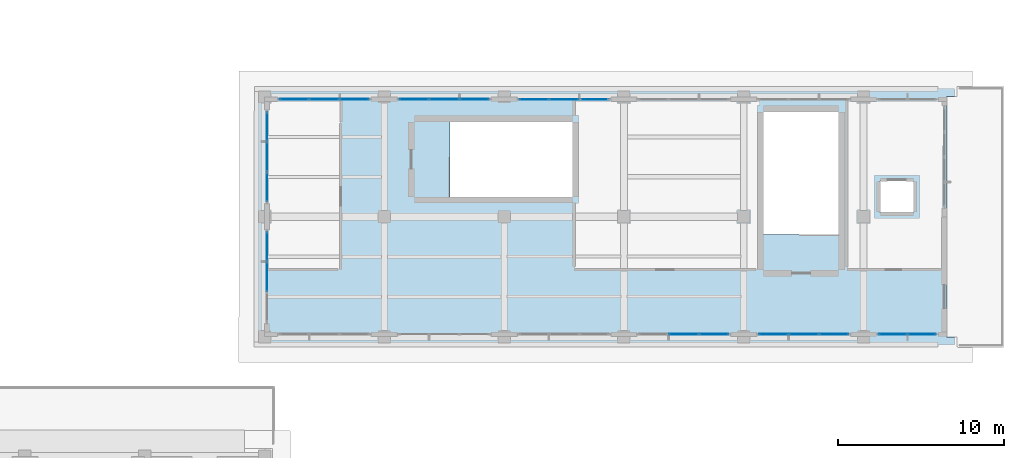
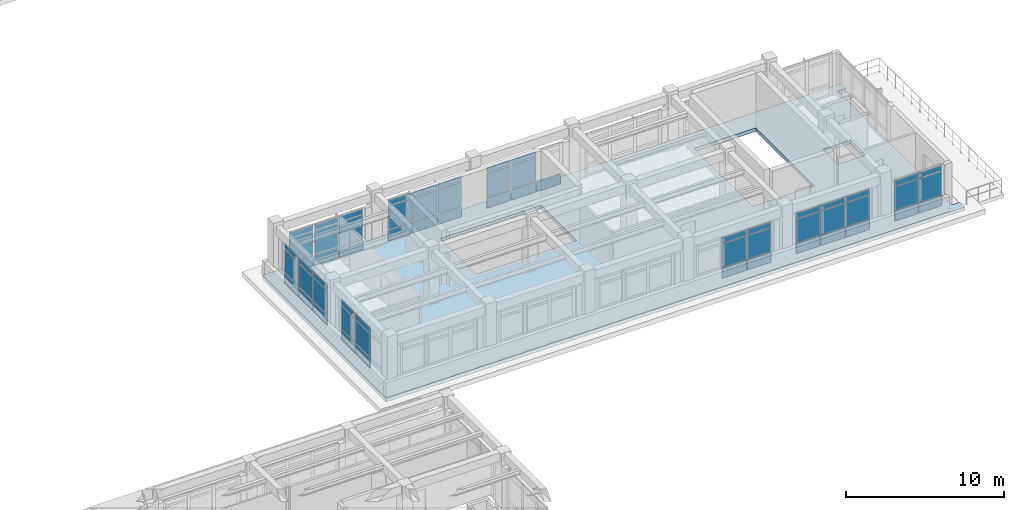
# One storey, part 38 of 64: 61 plates, 1 slab, 8 elements without a shape of their own.
"""IFC4 building model written with IfcOpenShell, lengths in metres."""

from ifc_helpers import new_model, si_unit, direction, frame, origin, origin_2d, place, context, subcontext, project, spatial, polyline, rectangle, outline, extrude, material, layer, layer_set, type_object, element, aggregate, save


model = new_model("IFC4")

# Units and contexts
model_context = context("Model", 3, precision=1e-05, world=origin(), true_north=direction((0.0, 1.0)))
body_context = subcontext(model_context, "Body", "Model", "MODEL_VIEW")
ifc_project = project(units=[si_unit("LENGTHUNIT", "METRE"), si_unit("AREAUNIT", "SQUARE_METRE"), si_unit("VOLUMEUNIT", "CUBIC_METRE"), si_unit("PLANEANGLEUNIT", "RADIAN"), si_unit("MASSUNIT", "GRAM", prefix="KILO")], contexts=[model_context])

# Site, building, storey
site_placement = place(None, origin())
site = spatial("IfcSite", under=ifc_project, at=site_placement, CompositionType="ELEMENT")
building_placement = place(site_placement, origin())
building = spatial("IfcBuilding", under=site, at=building_placement, Name="Solenvale Faculty of Natural Sciences", CompositionType="ELEMENT")
storey_placement = place(building_placement, frame((0.0, 0.0, 18.0)))
storey = spatial("IfcBuildingStorey", under=building, at=storey_placement, Name="L04", CompositionType="ELEMENT", Elevation=18.0)

# Curtain wall, plates
ifc_material_1 = material(Name="Anodised bronze aluminium", Category="aluminium")
ifc_layer_1 = layer(ifc_material_1, 0.199951171875)
ifc_layer_set_1 = layer_set([ifc_layer_1], Name="Anodised bronze aluminium")
curtain_wall_type = type_object("IfcCurtainWallType", Name="CW-COM-FIN", PredefinedType="USERDEFINED", material=ifc_layer_set_1)
curtain_wall_1_placement = place(storey_placement, origin())
curtain_wall_1 = element("IfcCurtainWall", 1, at=curtain_wall_1_placement, inside=storey, type_object=curtain_wall_type, Name="L04 Curtain Wall CW-L04-P2-E1-B4", ObjectType="UNITISED CURTAIN WALL", PredefinedType="USERDEFINED")
ifc_material_2 = material(Name="Triple low-E insulated glass", Category="glass")
ifc_layer_2 = layer(ifc_material_2, 0.035888671875)
ifc_layer_set_2 = layer_set([ifc_layer_2], Name="Triple low-E insulated glass")
plate_type_1 = type_object("IfcPlateType", Name="CWP-PNL-36", PredefinedType="CURTAIN_PANEL", material=ifc_layer_set_2)
plate_1_placement = place(storey_placement, frame((140.39990234375, 43.342529296875, 0.074951171875), z_axis=(0.0, 0.0, 1.0), x_axis=(1.0, 0.0, 0.0)))
plate_1 = element("IfcPlate", 2, at=plate_1_placement, type_object=plate_type_1, Name="CW-03 panel 2.1", PredefinedType="CURTAIN_PANEL", context=body_context, shape_type="SweptSolid", body=[
    extrude(rectangle(XDim=1.75830078125, YDim=0.035888671875, at=origin_2d()), origin(), (0.0, 0.0, 1.0), 0.78759765625),
])
plate_2_placement = place(storey_placement, frame((140.39990234375, 43.342529296875, 0.9375), z_axis=(0.0, 0.0, 1.0), x_axis=(1.0, 0.0, 0.0)))
plate_2 = element("IfcPlate", 3, at=plate_2_placement, type_object=plate_type_1, Name="CW-03 panel 2.2", PredefinedType="CURTAIN_PANEL", context=body_context, shape_type="SweptSolid", body=[
    extrude(rectangle(XDim=1.75830078125, YDim=0.035888671875, at=origin_2d()), origin(), (0.0, 0.0, 1.0), 1.784912109375),
])
plate_3_placement = place(storey_placement, frame((140.39990234375, 43.342529296875, 2.79736328125), z_axis=(0.0, 0.0, 1.0), x_axis=(1.0, 0.0, 0.0)))
plate_3 = element("IfcPlate", 4, at=plate_3_placement, type_object=plate_type_1, Name="CW-03 panel 2.3", PredefinedType="CURTAIN_PANEL", context=body_context, shape_type="SweptSolid", body=[
    extrude(rectangle(XDim=1.75830078125, YDim=0.035888671875, at=origin_2d()), origin(), (0.0, 0.0, 1.0), 0.387451171875),
])
plate_4_placement = place(storey_placement, frame((142.214599609375, 43.342529296875, 0.074951171875), z_axis=(0.0, 0.0, 1.0), x_axis=(1.0, 0.0, 0.0)))
plate_4 = element("IfcPlate", 5, at=plate_4_placement, type_object=plate_type_1, Name="CW-03 panel 3.1", PredefinedType="CURTAIN_PANEL", context=body_context, shape_type="SweptSolid", body=[
    extrude(rectangle(XDim=1.720947265625, YDim=0.035888671875, at=origin_2d()), origin(), (0.0, 0.0, 1.0), 0.78759765625),
])
plate_5_placement = place(storey_placement, frame((142.214599609375, 43.342529296875, 0.9375), z_axis=(0.0, 0.0, 1.0), x_axis=(1.0, 0.0, 0.0)))
plate_5 = element("IfcPlate", 6, at=plate_5_placement, type_object=plate_type_1, Name="CW-03 panel 3.2", PredefinedType="CURTAIN_PANEL", context=body_context, shape_type="SweptSolid", body=[
    extrude(rectangle(XDim=1.720947265625, YDim=0.035888671875, at=origin_2d()), origin(), (0.0, 0.0, 1.0), 1.784912109375),
])
plate_6_placement = place(storey_placement, frame((142.214599609375, 43.342529296875, 2.79736328125), z_axis=(0.0, 0.0, 1.0), x_axis=(1.0, 0.0, 0.0)))
plate_6 = element("IfcPlate", 7, at=plate_6_placement, type_object=plate_type_1, Name="CW-03 panel 3.3", PredefinedType="CURTAIN_PANEL", context=body_context, shape_type="SweptSolid", body=[
    extrude(rectangle(XDim=1.720947265625, YDim=0.035888671875, at=origin_2d()), origin(), (0.0, 0.0, 1.0), 0.387451171875),
])
aggregate(curtain_wall_1, [plate_1, plate_2, plate_3, plate_4, plate_5, plate_6])

curtain_wall_2_placement = place(storey_placement, origin())
curtain_wall_2 = element("IfcCurtainWall", 8, at=curtain_wall_2_placement, inside=storey, type_object=curtain_wall_type, Name="L04 Curtain Wall CW-L04-P2-E4-B1", ObjectType="UNITISED CURTAIN WALL", PredefinedType="USERDEFINED")
plate_7_placement = place(storey_placement, frame((115.342529296875, 55.814697265625, 0.074951171875), z_axis=(0.0, 0.0, 1.0), x_axis=(0.0, -1.0, 0.0)))
plate_7 = element("IfcPlate", 9, at=plate_7_placement, type_object=plate_type_1, Name="CW-03 panel 1.1", PredefinedType="CURTAIN_PANEL", context=body_context, shape_type="SweptSolid", body=[
    extrude(rectangle(XDim=1.720947265625, YDim=0.035888671875, at=origin_2d()), origin(), (0.0, 0.0, 1.0), 0.78759765625),
])
plate_8_placement = place(storey_placement, frame((115.342529296875, 55.814697265625, 0.9375), z_axis=(0.0, 0.0, 1.0), x_axis=(0.0, -1.0, 0.0)))
plate_8 = element("IfcPlate", 10, at=plate_8_placement, type_object=plate_type_1, Name="CW-03 panel 1.2", PredefinedType="CURTAIN_PANEL", context=body_context, shape_type="SweptSolid", body=[
    extrude(rectangle(XDim=1.720947265625, YDim=0.035888671875, at=origin_2d()), origin(), (0.0, 0.0, 1.0), 1.784912109375),
])
plate_9_placement = place(storey_placement, frame((115.342529296875, 55.814697265625, 2.79736328125), z_axis=(0.0, 0.0, 1.0), x_axis=(0.0, -1.0, 0.0)))
plate_9 = element("IfcPlate", 11, at=plate_9_placement, type_object=plate_type_1, Name="CW-03 panel 1.3", PredefinedType="CURTAIN_PANEL", context=body_context, shape_type="SweptSolid", body=[
    extrude(rectangle(XDim=1.720947265625, YDim=0.035888671875, at=origin_2d()), origin(), (0.0, 0.0, 1.0), 0.387451171875),
])
plate_10_placement = place(storey_placement, frame((115.342529296875, 54.0, 0.074951171875), z_axis=(0.0, 0.0, 1.0), x_axis=(0.0, -1.0, 0.0)))
plate_10 = element("IfcPlate", 12, at=plate_10_placement, type_object=plate_type_1, Name="CW-03 panel 2.1", PredefinedType="CURTAIN_PANEL", context=body_context, shape_type="SweptSolid", body=[
    extrude(rectangle(XDim=1.75830078125, YDim=0.035888671875, at=origin_2d()), origin(), (0.0, 0.0, 1.0), 0.78759765625),
])
plate_11_placement = place(storey_placement, frame((115.342529296875, 54.0, 0.9375), z_axis=(0.0, 0.0, 1.0), x_axis=(0.0, -1.0, 0.0)))
plate_11 = element("IfcPlate", 13, at=plate_11_placement, type_object=plate_type_1, Name="CW-03 panel 2.2", PredefinedType="CURTAIN_PANEL", context=body_context, shape_type="SweptSolid", body=[
    extrude(rectangle(XDim=1.75830078125, YDim=0.035888671875, at=origin_2d()), origin(), (0.0, 0.0, 1.0), 1.784912109375),
])
plate_12_placement = place(storey_placement, frame((115.342529296875, 54.0, 2.79736328125), z_axis=(0.0, 0.0, 1.0), x_axis=(0.0, -1.0, 0.0)))
plate_12 = element("IfcPlate", 14, at=plate_12_placement, type_object=plate_type_1, Name="CW-03 panel 2.3", PredefinedType="CURTAIN_PANEL", context=body_context, shape_type="SweptSolid", body=[
    extrude(rectangle(XDim=1.75830078125, YDim=0.035888671875, at=origin_2d()), origin(), (0.0, 0.0, 1.0), 0.387451171875),
])
plate_13_placement = place(storey_placement, frame((115.342529296875, 52.185302734375, 0.074951171875), z_axis=(0.0, 0.0, 1.0), x_axis=(0.0, -1.0, 0.0)))
plate_13 = element("IfcPlate", 15, at=plate_13_placement, type_object=plate_type_1, Name="CW-03 panel 3.1", PredefinedType="CURTAIN_PANEL", context=body_context, shape_type="SweptSolid", body=[
    extrude(rectangle(XDim=1.720947265625, YDim=0.035888671875, at=origin_2d()), origin(), (0.0, 0.0, 1.0), 0.78759765625),
])
plate_14_placement = place(storey_placement, frame((115.342529296875, 52.185302734375, 0.9375), z_axis=(0.0, 0.0, 1.0), x_axis=(0.0, -1.0, 0.0)))
plate_14 = element("IfcPlate", 16, at=plate_14_placement, type_object=plate_type_1, Name="CW-03 panel 3.2", PredefinedType="CURTAIN_PANEL", context=body_context, shape_type="SweptSolid", body=[
    extrude(rectangle(XDim=1.720947265625, YDim=0.035888671875, at=origin_2d()), origin(), (0.0, 0.0, 1.0), 1.784912109375),
])
plate_15_placement = place(storey_placement, frame((115.342529296875, 52.185302734375, 2.79736328125), z_axis=(0.0, 0.0, 1.0), x_axis=(0.0, -1.0, 0.0)))
plate_15 = element("IfcPlate", 17, at=plate_15_placement, type_object=plate_type_1, Name="CW-03 panel 3.3", PredefinedType="CURTAIN_PANEL", context=body_context, shape_type="SweptSolid", body=[
    extrude(rectangle(XDim=1.720947265625, YDim=0.035888671875, at=origin_2d()), origin(), (0.0, 0.0, 1.0), 0.387451171875),
])
aggregate(curtain_wall_2, [plate_7, plate_8, plate_9, plate_10, plate_11, plate_12, plate_13, plate_14, plate_15])

curtain_wall_3_placement = place(storey_placement, origin())
curtain_wall_3 = element("IfcCurtainWall", 18, at=curtain_wall_3_placement, inside=storey, type_object=curtain_wall_type, Name="L04 Curtain Wall CW-L04-P2-E1-B5", ObjectType="UNITISED CURTAIN WALL", PredefinedType="USERDEFINED")
ifc_layer_3 = layer(ifc_material_2, 0.0400390625)
ifc_layer_set_3 = layer_set([ifc_layer_3], Name="Triple low-E insulated glass")
plate_type_2 = type_object("IfcPlateType", Name="CWP-PNL-40", PredefinedType="CURTAIN_PANEL", material=ifc_layer_set_3)
plate_16_placement = place(storey_placement, frame((145.785400390625, 43.342529296875, 0.074951171875), z_axis=(0.0, 0.0, 1.0), x_axis=(1.0, 0.0, 0.0)))
plate_16 = element("IfcPlate", 19, at=plate_16_placement, type_object=plate_type_2, Name="CW-03 panel 1.1", PredefinedType="CURTAIN_PANEL", context=body_context, shape_type="SweptSolid", body=[
    extrude(rectangle(XDim=1.720947265625, YDim=0.0400390625, at=origin_2d()), origin(), (0.0, 0.0, 1.0), 0.78759765625),
])
plate_17_placement = place(storey_placement, frame((145.785400390625, 43.342529296875, 0.9375), z_axis=(0.0, 0.0, 1.0), x_axis=(1.0, 0.0, 0.0)))
plate_17 = element("IfcPlate", 20, at=plate_17_placement, type_object=plate_type_2, Name="CW-03 panel 1.2", PredefinedType="CURTAIN_PANEL", context=body_context, shape_type="SweptSolid", body=[
    extrude(rectangle(XDim=1.720947265625, YDim=0.0400390625, at=origin_2d()), origin(), (0.0, 0.0, 1.0), 1.784912109375),
])
plate_18_placement = place(storey_placement, frame((145.785400390625, 43.342529296875, 2.79736328125), z_axis=(0.0, 0.0, 1.0), x_axis=(1.0, 0.0, 0.0)))
plate_18 = element("IfcPlate", 21, at=plate_18_placement, type_object=plate_type_2, Name="CW-03 panel 1.3", PredefinedType="CURTAIN_PANEL", context=body_context, shape_type="SweptSolid", body=[
    extrude(rectangle(XDim=1.720947265625, YDim=0.0400390625, at=origin_2d()), origin(), (0.0, 0.0, 1.0), 0.387451171875),
])
plate_19_placement = place(storey_placement, frame((147.60009765625, 43.342529296875, 0.074951171875), z_axis=(0.0, 0.0, 1.0), x_axis=(1.0, 0.0, 0.0)))
plate_19 = element("IfcPlate", 22, at=plate_19_placement, type_object=plate_type_2, Name="CW-03 panel 2.1", PredefinedType="CURTAIN_PANEL", context=body_context, shape_type="SweptSolid", body=[
    extrude(rectangle(XDim=1.75830078125, YDim=0.0400390625, at=origin_2d()), origin(), (0.0, 0.0, 1.0), 0.78759765625),
])
plate_20_placement = place(storey_placement, frame((147.60009765625, 43.342529296875, 0.9375), z_axis=(0.0, 0.0, 1.0), x_axis=(1.0, 0.0, 0.0)))
plate_20 = element("IfcPlate", 23, at=plate_20_placement, type_object=plate_type_2, Name="CW-03 panel 2.2", PredefinedType="CURTAIN_PANEL", context=body_context, shape_type="SweptSolid", body=[
    extrude(rectangle(XDim=1.75830078125, YDim=0.0400390625, at=origin_2d()), origin(), (0.0, 0.0, 1.0), 1.784912109375),
])
plate_21_placement = place(storey_placement, frame((147.60009765625, 43.342529296875, 2.79736328125), z_axis=(0.0, 0.0, 1.0), x_axis=(1.0, 0.0, 0.0)))
plate_21 = element("IfcPlate", 24, at=plate_21_placement, type_object=plate_type_2, Name="CW-03 panel 2.3", PredefinedType="CURTAIN_PANEL", context=body_context, shape_type="SweptSolid", body=[
    extrude(rectangle(XDim=1.75830078125, YDim=0.0400390625, at=origin_2d()), origin(), (0.0, 0.0, 1.0), 0.387451171875),
])
plate_22_placement = place(storey_placement, frame((149.41455078125, 43.342529296875, 0.074951171875), z_axis=(0.0, 0.0, 1.0), x_axis=(1.0, 0.0, 0.0)))
plate_22 = element("IfcPlate", 25, at=plate_22_placement, type_object=plate_type_2, Name="CW-03 panel 3.1", PredefinedType="CURTAIN_PANEL", context=body_context, shape_type="SweptSolid", body=[
    extrude(rectangle(XDim=1.720947265625, YDim=0.0400390625, at=origin_2d()), origin(), (0.0, 0.0, 1.0), 0.78759765625),
])
plate_23_placement = place(storey_placement, frame((149.41455078125, 43.342529296875, 0.9375), z_axis=(0.0, 0.0, 1.0), x_axis=(1.0, 0.0, 0.0)))
plate_23 = element("IfcPlate", 26, at=plate_23_placement, type_object=plate_type_2, Name="CW-03 panel 3.2", PredefinedType="CURTAIN_PANEL", context=body_context, shape_type="SweptSolid", body=[
    extrude(rectangle(XDim=1.720947265625, YDim=0.0400390625, at=origin_2d()), origin(), (0.0, 0.0, 1.0), 1.784912109375),
])
plate_24_placement = place(storey_placement, frame((149.41455078125, 43.342529296875, 2.79736328125), z_axis=(0.0, 0.0, 1.0), x_axis=(1.0, 0.0, 0.0)))
plate_24 = element("IfcPlate", 27, at=plate_24_placement, type_object=plate_type_2, Name="CW-03 panel 3.3", PredefinedType="CURTAIN_PANEL", context=body_context, shape_type="SweptSolid", body=[
    extrude(rectangle(XDim=1.720947265625, YDim=0.0400390625, at=origin_2d()), origin(), (0.0, 0.0, 1.0), 0.387451171875),
])
aggregate(curtain_wall_3, [plate_16, plate_17, plate_18, plate_19, plate_20, plate_21, plate_22, plate_23, plate_24])

curtain_wall_4_placement = place(storey_placement, origin())
curtain_wall_4 = element("IfcCurtainWall", 28, at=curtain_wall_4_placement, inside=storey, type_object=curtain_wall_type, Name="L04 Curtain Wall CW-L04-P2-E4-B2", ObjectType="UNITISED CURTAIN WALL", PredefinedType="USERDEFINED")
plate_25_placement = place(storey_placement, frame((115.342529296875, 48.614501953125, 0.074951171875), z_axis=(0.0, 0.0, 1.0), x_axis=(0.0, -1.0, 0.0)))
plate_25 = element("IfcPlate", 29, at=plate_25_placement, type_object=plate_type_2, Name="CW-03 panel 1.1", PredefinedType="CURTAIN_PANEL", context=body_context, shape_type="SweptSolid", body=[
    extrude(rectangle(XDim=1.720947265625, YDim=0.0400390625, at=origin_2d()), origin(), (0.0, 0.0, 1.0), 0.78759765625),
])
plate_26_placement = place(storey_placement, frame((115.342529296875, 48.614501953125, 0.9375), z_axis=(0.0, 0.0, 1.0), x_axis=(0.0, -1.0, 0.0)))
plate_26 = element("IfcPlate", 30, at=plate_26_placement, type_object=plate_type_2, Name="CW-03 panel 1.2", PredefinedType="CURTAIN_PANEL", context=body_context, shape_type="SweptSolid", body=[
    extrude(rectangle(XDim=1.720947265625, YDim=0.0400390625, at=origin_2d()), origin(), (0.0, 0.0, 1.0), 1.784912109375),
])
plate_27_placement = place(storey_placement, frame((115.342529296875, 48.614501953125, 2.79736328125), z_axis=(0.0, 0.0, 1.0), x_axis=(0.0, -1.0, 0.0)))
plate_27 = element("IfcPlate", 31, at=plate_27_placement, type_object=plate_type_2, Name="CW-03 panel 1.3", PredefinedType="CURTAIN_PANEL", context=body_context, shape_type="SweptSolid", body=[
    extrude(rectangle(XDim=1.720947265625, YDim=0.0400390625, at=origin_2d()), origin(), (0.0, 0.0, 1.0), 0.387451171875),
])
plate_28_placement = place(storey_placement, frame((115.342529296875, 46.800048828125, 0.074951171875), z_axis=(0.0, 0.0, 1.0), x_axis=(0.0, -1.0, 0.0)))
plate_28 = element("IfcPlate", 32, at=plate_28_placement, type_object=plate_type_2, Name="CW-03 panel 2.1", PredefinedType="CURTAIN_PANEL", context=body_context, shape_type="SweptSolid", body=[
    extrude(rectangle(XDim=1.75830078125, YDim=0.0400390625, at=origin_2d()), origin(), (0.0, 0.0, 1.0), 0.78759765625),
])
plate_29_placement = place(storey_placement, frame((115.342529296875, 46.800048828125, 0.9375), z_axis=(0.0, 0.0, 1.0), x_axis=(0.0, -1.0, 0.0)))
plate_29 = element("IfcPlate", 33, at=plate_29_placement, type_object=plate_type_2, Name="CW-03 panel 2.2", PredefinedType="CURTAIN_PANEL", context=body_context, shape_type="SweptSolid", body=[
    extrude(rectangle(XDim=1.75830078125, YDim=0.0400390625, at=origin_2d()), origin(), (0.0, 0.0, 1.0), 1.784912109375),
])
plate_30_placement = place(storey_placement, frame((115.342529296875, 46.800048828125, 2.79736328125), z_axis=(0.0, 0.0, 1.0), x_axis=(0.0, -1.0, 0.0)))
plate_30 = element("IfcPlate", 34, at=plate_30_placement, type_object=plate_type_2, Name="CW-03 panel 2.3", PredefinedType="CURTAIN_PANEL", context=body_context, shape_type="SweptSolid", body=[
    extrude(rectangle(XDim=1.75830078125, YDim=0.0400390625, at=origin_2d()), origin(), (0.0, 0.0, 1.0), 0.387451171875),
])
aggregate(curtain_wall_4, [plate_25, plate_26, plate_27, plate_28, plate_29, plate_30])

curtain_wall_5_placement = place(storey_placement, origin())
curtain_wall_5 = element("IfcCurtainWall", 35, at=curtain_wall_5_placement, inside=storey, type_object=curtain_wall_type, Name="L04 Curtain Wall CW-L04-P2-E1-B6", ObjectType="UNITISED CURTAIN WALL", PredefinedType="USERDEFINED")
ifc_layer_4 = layer(ifc_material_2, 0.0439453125)
ifc_layer_set_4 = layer_set([ifc_layer_4], Name="Triple low-E insulated glass")
plate_type_3 = type_object("IfcPlateType", Name="CWP-PNL-44", PredefinedType="CURTAIN_PANEL", material=ifc_layer_set_4)
plate_31_placement = place(storey_placement, frame((152.961181640625, 43.342529296875, 0.074951171875), z_axis=(0.0, 0.0, 1.0), x_axis=(1.0, 0.0, 0.0)))
plate_31 = element("IfcPlate", 36, at=plate_31_placement, type_object=plate_type_3, Name="CW-03 panel 1.1", PredefinedType="CURTAIN_PANEL", context=body_context, shape_type="SweptSolid", body=[
    extrude(rectangle(XDim=1.672607421875, YDim=0.0439453125, at=origin_2d()), origin(), (0.0, 0.0, 1.0), 0.78759765625),
])
plate_32_placement = place(storey_placement, frame((152.961181640625, 43.342529296875, 0.9375), z_axis=(0.0, 0.0, 1.0), x_axis=(1.0, 0.0, 0.0)))
plate_32 = element("IfcPlate", 37, at=plate_32_placement, type_object=plate_type_3, Name="CW-03 panel 1.2", PredefinedType="CURTAIN_PANEL", context=body_context, shape_type="SweptSolid", body=[
    extrude(rectangle(XDim=1.672607421875, YDim=0.0439453125, at=origin_2d()), origin(), (0.0, 0.0, 1.0), 1.784912109375),
])
plate_33_placement = place(storey_placement, frame((152.961181640625, 43.342529296875, 2.79736328125), z_axis=(0.0, 0.0, 1.0), x_axis=(1.0, 0.0, 0.0)))
plate_33 = element("IfcPlate", 38, at=plate_33_placement, type_object=plate_type_3, Name="CW-03 panel 1.3", PredefinedType="CURTAIN_PANEL", context=body_context, shape_type="SweptSolid", body=[
    extrude(rectangle(XDim=1.672607421875, YDim=0.0439453125, at=origin_2d()), origin(), (0.0, 0.0, 1.0), 0.387451171875),
])
plate_34_placement = place(storey_placement, frame((154.708740234375, 43.342529296875, 0.074951171875), z_axis=(0.0, 0.0, 1.0), x_axis=(1.0, 0.0, 0.0)))
plate_34 = element("IfcPlate", 39, at=plate_34_placement, type_object=plate_type_3, Name="CW-03 panel 2.1", PredefinedType="CURTAIN_PANEL", context=body_context, shape_type="SweptSolid", body=[
    extrude(rectangle(XDim=1.672607421875, YDim=0.0439453125, at=origin_2d()), origin(), (0.0, 0.0, 1.0), 0.78759765625),
])
plate_35_placement = place(storey_placement, frame((154.708740234375, 43.342529296875, 0.9375), z_axis=(0.0, 0.0, 1.0), x_axis=(1.0, 0.0, 0.0)))
plate_35 = element("IfcPlate", 40, at=plate_35_placement, type_object=plate_type_3, Name="CW-03 panel 2.2", PredefinedType="CURTAIN_PANEL", context=body_context, shape_type="SweptSolid", body=[
    extrude(rectangle(XDim=1.672607421875, YDim=0.0439453125, at=origin_2d()), origin(), (0.0, 0.0, 1.0), 1.784912109375),
])
plate_36_placement = place(storey_placement, frame((154.708740234375, 43.342529296875, 2.79736328125), z_axis=(0.0, 0.0, 1.0), x_axis=(1.0, 0.0, 0.0)))
plate_36 = element("IfcPlate", 41, at=plate_36_placement, type_object=plate_type_3, Name="CW-03 panel 2.3", PredefinedType="CURTAIN_PANEL", context=body_context, shape_type="SweptSolid", body=[
    extrude(rectangle(XDim=1.672607421875, YDim=0.0439453125, at=origin_2d()), origin(), (0.0, 0.0, 1.0), 0.387451171875),
])
aggregate(curtain_wall_5, [plate_31, plate_32, plate_33, plate_34, plate_35, plate_36])

curtain_wall_6_placement = place(storey_placement, origin())
curtain_wall_6 = element("IfcCurtainWall", 42, at=curtain_wall_6_placement, inside=storey, type_object=curtain_wall_type, Name="L04 Curtain Wall CW-L04-P2-E3-B4", ObjectType="UNITISED CURTAIN WALL", PredefinedType="USERDEFINED")
plate_37_placement = place(storey_placement, frame((135.0146484375, 57.45751953125, 0.074951171875), z_axis=(0.0, 0.0, 1.0), x_axis=(-1.0, 0.0, 0.0)))
plate_37 = element("IfcPlate", 43, at=plate_37_placement, type_object=plate_type_3, Name="CW-03 panel 1.1", PredefinedType="CURTAIN_PANEL", context=body_context, shape_type="SweptSolid", body=[
    extrude(rectangle(XDim=1.720947265625, YDim=0.0439453125, at=origin_2d()), origin(), (0.0, 0.0, 1.0), 0.78759765625),
])
plate_38_placement = place(storey_placement, frame((133.199951171875, 57.45751953125, 0.074951171875), z_axis=(0.0, 0.0, 1.0), x_axis=(-1.0, 0.0, 0.0)))
plate_38 = element("IfcPlate", 44, at=plate_38_placement, type_object=plate_type_3, Name="CW-03 panel 2.1", PredefinedType="CURTAIN_PANEL", context=body_context, shape_type="SweptSolid", body=[
    extrude(rectangle(XDim=1.75830078125, YDim=0.0439453125, at=origin_2d()), origin(), (0.0, 0.0, 1.0), 0.78759765625),
])
plate_39_placement = place(storey_placement, frame((133.199951171875, 57.45751953125, 0.9375), z_axis=(0.0, 0.0, 1.0), x_axis=(-1.0, 0.0, 0.0)))
plate_39 = element("IfcPlate", 45, at=plate_39_placement, type_object=plate_type_3, Name="CW-03 panel 2.2", PredefinedType="CURTAIN_PANEL", context=body_context, shape_type="SweptSolid", body=[
    extrude(rectangle(XDim=1.75830078125, YDim=0.0439453125, at=origin_2d()), origin(), (0.0, 0.0, 1.0), 1.784912109375),
])
plate_40_placement = place(storey_placement, frame((133.199951171875, 57.45751953125, 2.79736328125), z_axis=(0.0, 0.0, 1.0), x_axis=(-1.0, 0.0, 0.0)))
plate_40 = element("IfcPlate", 46, at=plate_40_placement, type_object=plate_type_3, Name="CW-03 panel 2.3", PredefinedType="CURTAIN_PANEL", context=body_context, shape_type="SweptSolid", body=[
    extrude(rectangle(XDim=1.75830078125, YDim=0.0439453125, at=origin_2d()), origin(), (0.0, 0.0, 1.0), 0.387451171875),
])
plate_41_placement = place(storey_placement, frame((131.385498046875, 57.45751953125, 0.074951171875), z_axis=(0.0, 0.0, 1.0), x_axis=(-1.0, 0.0, 0.0)))
plate_41 = element("IfcPlate", 47, at=plate_41_placement, type_object=plate_type_3, Name="CW-03 panel 3.1", PredefinedType="CURTAIN_PANEL", context=body_context, shape_type="SweptSolid", body=[
    extrude(rectangle(XDim=1.720947265625, YDim=0.0439453125, at=origin_2d()), origin(), (0.0, 0.0, 1.0), 0.78759765625),
])
plate_42_placement = place(storey_placement, frame((131.385498046875, 57.45751953125, 0.9375), z_axis=(0.0, 0.0, 1.0), x_axis=(-1.0, 0.0, 0.0)))
plate_42 = element("IfcPlate", 48, at=plate_42_placement, type_object=plate_type_3, Name="CW-03 panel 3.2", PredefinedType="CURTAIN_PANEL", context=body_context, shape_type="SweptSolid", body=[
    extrude(rectangle(XDim=1.720947265625, YDim=0.0439453125, at=origin_2d()), origin(), (0.0, 0.0, 1.0), 1.784912109375),
])
plate_43_placement = place(storey_placement, frame((131.385498046875, 57.45751953125, 2.79736328125), z_axis=(0.0, 0.0, 1.0), x_axis=(-1.0, 0.0, 0.0)))
plate_43 = element("IfcPlate", 49, at=plate_43_placement, type_object=plate_type_3, Name="CW-03 panel 3.3", PredefinedType="CURTAIN_PANEL", context=body_context, shape_type="SweptSolid", body=[
    extrude(rectangle(XDim=1.720947265625, YDim=0.0439453125, at=origin_2d()), origin(), (0.0, 0.0, 1.0), 0.387451171875),
])
aggregate(curtain_wall_6, [plate_37, plate_38, plate_39, plate_40, plate_41, plate_42, plate_43])

curtain_wall_7_placement = place(storey_placement, origin())
curtain_wall_7 = element("IfcCurtainWall", 50, at=curtain_wall_7_placement, inside=storey, type_object=curtain_wall_type, Name="L04 Curtain Wall CW-L04-P2-E3-B5", ObjectType="UNITISED CURTAIN WALL", PredefinedType="USERDEFINED")
ifc_layer_5 = layer(ifc_material_1, 0.048095703125)
ifc_layer_set_5 = layer_set([ifc_layer_5], Name="Anodised bronze aluminium")
plate_type_4 = type_object("IfcPlateType", Name="CWP-PNL-48", PredefinedType="CURTAIN_PANEL", material=ifc_layer_set_5)
plate_44_placement = place(storey_placement, frame((127.814697265625, 57.45751953125, 0.074951171875), z_axis=(0.0, 0.0, 1.0), x_axis=(-1.0, 0.0, 0.0)))
plate_44 = element("IfcPlate", 51, at=plate_44_placement, type_object=plate_type_4, Name="CW-03 panel 1.1", PredefinedType="CURTAIN_PANEL", context=body_context, shape_type="SweptSolid", body=[
    extrude(rectangle(XDim=1.720947265625, YDim=0.048095703125, at=origin_2d()), origin(), (0.0, 0.0, 1.0), 0.78759765625),
])
plate_45_placement = place(storey_placement, frame((127.814697265625, 57.45751953125, 0.9375), z_axis=(0.0, 0.0, 1.0), x_axis=(-1.0, 0.0, 0.0)))
plate_45 = element("IfcPlate", 52, at=plate_45_placement, type_object=plate_type_4, Name="CW-03 panel 1.2", PredefinedType="CURTAIN_PANEL", context=body_context, shape_type="SweptSolid", body=[
    extrude(rectangle(XDim=1.720947265625, YDim=0.048095703125, at=origin_2d()), origin(), (0.0, 0.0, 1.0), 1.784912109375),
])
plate_46_placement = place(storey_placement, frame((127.814697265625, 57.45751953125, 2.79736328125), z_axis=(0.0, 0.0, 1.0), x_axis=(-1.0, 0.0, 0.0)))
plate_46 = element("IfcPlate", 53, at=plate_46_placement, type_object=plate_type_4, Name="CW-03 panel 1.3", PredefinedType="CURTAIN_PANEL", context=body_context, shape_type="SweptSolid", body=[
    extrude(rectangle(XDim=1.720947265625, YDim=0.048095703125, at=origin_2d()), origin(), (0.0, 0.0, 1.0), 0.387451171875),
])
plate_47_placement = place(storey_placement, frame((126.0, 57.45751953125, 0.074951171875), z_axis=(0.0, 0.0, 1.0), x_axis=(-1.0, 0.0, 0.0)))
plate_47 = element("IfcPlate", 54, at=plate_47_placement, type_object=plate_type_4, Name="CW-03 panel 2.1", PredefinedType="CURTAIN_PANEL", context=body_context, shape_type="SweptSolid", body=[
    extrude(rectangle(XDim=1.75830078125, YDim=0.048095703125, at=origin_2d()), origin(), (0.0, 0.0, 1.0), 0.78759765625),
])
plate_48_placement = place(storey_placement, frame((126.0, 57.45751953125, 0.9375), z_axis=(0.0, 0.0, 1.0), x_axis=(-1.0, 0.0, 0.0)))
plate_48 = element("IfcPlate", 55, at=plate_48_placement, type_object=plate_type_4, Name="CW-03 panel 2.2", PredefinedType="CURTAIN_PANEL", context=body_context, shape_type="SweptSolid", body=[
    extrude(rectangle(XDim=1.75830078125, YDim=0.048095703125, at=origin_2d()), origin(), (0.0, 0.0, 1.0), 1.784912109375),
])
plate_49_placement = place(storey_placement, frame((126.0, 57.45751953125, 2.79736328125), z_axis=(0.0, 0.0, 1.0), x_axis=(-1.0, 0.0, 0.0)))
plate_49 = element("IfcPlate", 56, at=plate_49_placement, type_object=plate_type_4, Name="CW-03 panel 2.3", PredefinedType="CURTAIN_PANEL", context=body_context, shape_type="SweptSolid", body=[
    extrude(rectangle(XDim=1.75830078125, YDim=0.048095703125, at=origin_2d()), origin(), (0.0, 0.0, 1.0), 0.387451171875),
])
plate_50_placement = place(storey_placement, frame((124.185302734375, 57.45751953125, 0.074951171875), z_axis=(0.0, 0.0, 1.0), x_axis=(-1.0, 0.0, 0.0)))
plate_50 = element("IfcPlate", 57, at=plate_50_placement, type_object=plate_type_4, Name="CW-03 panel 3.1", PredefinedType="CURTAIN_PANEL", context=body_context, shape_type="SweptSolid", body=[
    extrude(rectangle(XDim=1.720947265625, YDim=0.048095703125, at=origin_2d()), origin(), (0.0, 0.0, 1.0), 0.78759765625),
])
plate_51_placement = place(storey_placement, frame((124.185302734375, 57.45751953125, 0.9375), z_axis=(0.0, 0.0, 1.0), x_axis=(-1.0, 0.0, 0.0)))
plate_51 = element("IfcPlate", 58, at=plate_51_placement, type_object=plate_type_4, Name="CW-03 panel 3.2", PredefinedType="CURTAIN_PANEL", context=body_context, shape_type="SweptSolid", body=[
    extrude(rectangle(XDim=1.720947265625, YDim=0.048095703125, at=origin_2d()), origin(), (0.0, 0.0, 1.0), 1.784912109375),
])
plate_52_placement = place(storey_placement, frame((124.185302734375, 57.45751953125, 2.79736328125), z_axis=(0.0, 0.0, 1.0), x_axis=(-1.0, 0.0, 0.0)))
plate_52 = element("IfcPlate", 59, at=plate_52_placement, type_object=plate_type_4, Name="CW-03 panel 3.3", PredefinedType="CURTAIN_PANEL", context=body_context, shape_type="SweptSolid", body=[
    extrude(rectangle(XDim=1.720947265625, YDim=0.048095703125, at=origin_2d()), origin(), (0.0, 0.0, 1.0), 0.387451171875),
])
aggregate(curtain_wall_7, [plate_44, plate_45, plate_46, plate_47, plate_48, plate_49, plate_50, plate_51, plate_52])

curtain_wall_8_placement = place(storey_placement, origin())
curtain_wall_8 = element("IfcCurtainWall", 60, at=curtain_wall_8_placement, inside=storey, type_object=curtain_wall_type, Name="L04 Curtain Wall CW-L04-P2-E3-B6", ObjectType="UNITISED CURTAIN WALL", PredefinedType="USERDEFINED")
ifc_layer_6 = layer(ifc_material_1, 0.053955078125)
ifc_layer_set_6 = layer_set([ifc_layer_6], Name="Anodised bronze aluminium")
plate_type_5 = type_object("IfcPlateType", Name="CWP-PNL-54", PredefinedType="CURTAIN_PANEL", material=ifc_layer_set_6)
plate_53_placement = place(storey_placement, frame((120.614501953125, 57.45751953125, 0.074951171875), z_axis=(0.0, 0.0, 1.0), x_axis=(-1.0, 0.0, 0.0)))
plate_53 = element("IfcPlate", 61, at=plate_53_placement, type_object=plate_type_5, Name="CW-03 panel 1.1", PredefinedType="CURTAIN_PANEL", context=body_context, shape_type="SweptSolid", body=[
    extrude(rectangle(XDim=1.720947265625, YDim=0.053955078125, at=origin_2d()), origin(), (0.0, 0.0, 1.0), 0.78759765625),
])
plate_54_placement = place(storey_placement, frame((120.614501953125, 57.45751953125, 0.9375), z_axis=(0.0, 0.0, 1.0), x_axis=(-1.0, 0.0, 0.0)))
plate_54 = element("IfcPlate", 62, at=plate_54_placement, type_object=plate_type_5, Name="CW-03 panel 1.2", PredefinedType="CURTAIN_PANEL", context=body_context, shape_type="SweptSolid", body=[
    extrude(rectangle(XDim=1.720947265625, YDim=0.053955078125, at=origin_2d()), origin(), (0.0, 0.0, 1.0), 1.784912109375),
])
plate_55_placement = place(storey_placement, frame((120.614501953125, 57.45751953125, 2.79736328125), z_axis=(0.0, 0.0, 1.0), x_axis=(-1.0, 0.0, 0.0)))
plate_55 = element("IfcPlate", 63, at=plate_55_placement, type_object=plate_type_5, Name="CW-03 panel 1.3", PredefinedType="CURTAIN_PANEL", context=body_context, shape_type="SweptSolid", body=[
    extrude(rectangle(XDim=1.720947265625, YDim=0.053955078125, at=origin_2d()), origin(), (0.0, 0.0, 1.0), 0.387451171875),
])
plate_56_placement = place(storey_placement, frame((118.800048828125, 57.45751953125, 0.074951171875), z_axis=(0.0, 0.0, 1.0), x_axis=(-1.0, 0.0, 0.0)))
plate_56 = element("IfcPlate", 64, at=plate_56_placement, type_object=plate_type_5, Name="CW-03 panel 2.1", PredefinedType="CURTAIN_PANEL", context=body_context, shape_type="SweptSolid", body=[
    extrude(rectangle(XDim=1.75830078125, YDim=0.053955078125, at=origin_2d()), origin(), (0.0, 0.0, 1.0), 0.78759765625),
])
plate_57_placement = place(storey_placement, frame((118.800048828125, 57.45751953125, 0.9375), z_axis=(0.0, 0.0, 1.0), x_axis=(-1.0, 0.0, 0.0)))
plate_57 = element("IfcPlate", 65, at=plate_57_placement, type_object=plate_type_5, Name="CW-03 panel 2.2", PredefinedType="CURTAIN_PANEL", context=body_context, shape_type="SweptSolid", body=[
    extrude(rectangle(XDim=1.75830078125, YDim=0.053955078125, at=origin_2d()), origin(), (0.0, 0.0, 1.0), 1.784912109375),
])
plate_58_placement = place(storey_placement, frame((118.800048828125, 57.45751953125, 2.79736328125), z_axis=(0.0, 0.0, 1.0), x_axis=(-1.0, 0.0, 0.0)))
plate_58 = element("IfcPlate", 66, at=plate_58_placement, type_object=plate_type_5, Name="CW-03 panel 2.3", PredefinedType="CURTAIN_PANEL", context=body_context, shape_type="SweptSolid", body=[
    extrude(rectangle(XDim=1.75830078125, YDim=0.053955078125, at=origin_2d()), origin(), (0.0, 0.0, 1.0), 0.387451171875),
])
plate_59_placement = place(storey_placement, frame((116.9853515625, 57.45751953125, 0.074951171875), z_axis=(0.0, 0.0, 1.0), x_axis=(-1.0, 0.0, 0.0)))
plate_59 = element("IfcPlate", 67, at=plate_59_placement, type_object=plate_type_5, Name="CW-03 panel 3.1", PredefinedType="CURTAIN_PANEL", context=body_context, shape_type="SweptSolid", body=[
    extrude(rectangle(XDim=1.720947265625, YDim=0.053955078125, at=origin_2d()), origin(), (0.0, 0.0, 1.0), 0.78759765625),
])
plate_60_placement = place(storey_placement, frame((116.9853515625, 57.45751953125, 0.9375), z_axis=(0.0, 0.0, 1.0), x_axis=(-1.0, 0.0, 0.0)))
plate_60 = element("IfcPlate", 68, at=plate_60_placement, type_object=plate_type_5, Name="CW-03 panel 3.2", PredefinedType="CURTAIN_PANEL", context=body_context, shape_type="SweptSolid", body=[
    extrude(rectangle(XDim=1.720947265625, YDim=0.053955078125, at=origin_2d()), origin(), (0.0, 0.0, 1.0), 1.784912109375),
])
plate_61_placement = place(storey_placement, frame((116.9853515625, 57.45751953125, 2.79736328125), z_axis=(0.0, 0.0, 1.0), x_axis=(-1.0, 0.0, 0.0)))
plate_61 = element("IfcPlate", 69, at=plate_61_placement, type_object=plate_type_5, Name="CW-03 panel 3.3", PredefinedType="CURTAIN_PANEL", context=body_context, shape_type="SweptSolid", body=[
    extrude(rectangle(XDim=1.720947265625, YDim=0.053955078125, at=origin_2d()), origin(), (0.0, 0.0, 1.0), 0.387451171875),
])
aggregate(curtain_wall_8, [plate_53, plate_54, plate_55, plate_56, plate_57, plate_58, plate_59, plate_60, plate_61])

# Slab
ifc_material_3 = material(Name="Concrete 40 MPa", Category="concrete")
ifc_layer_7 = layer(ifc_material_3, 0.280029296875)
ifc_layer_set_7 = layer_set([ifc_layer_7], Name="Concrete 40 MPa")
slab_type = type_object("IfcSlabType", Name="SL-FLR-280", PredefinedType="FLOOR", material=ifc_layer_set_7)
slab_placement = place(storey_placement, frame((0.0, 0.0, -0.280029296875)))
element("IfcSlab", 70, at=slab_placement, inside=storey, type_object=slab_type, Name="L04 V2 Floor Slab 1.1", PredefinedType="FLOOR", context=body_context, shape_type="SweptSolid", body=[
    extrude(outline(polyline([(156.179931640625, 43.199951171875), (156.185302734375, 43.186279296875), (156.19970703125, 43.179931640625), (156.794921875, 43.179931640625), (156.812744140625, 43.172607421875), (156.820068359375, 43.155029296875), (156.820068359375, 42.60498046875), (156.812744140625, 42.58740234375), (156.794921875, 42.580078125), (114.595458984375, 42.581787109375), (114.580078125, 42.60498046875), (114.581787109375, 58.20458984375), (114.60498046875, 58.219970703125), (156.8046875, 58.218017578125), (156.820068359375, 58.195068359375), (156.820068359375, 57.64501953125), (156.812744140625, 57.627197265625), (156.794921875, 57.6201171875), (156.19970703125, 57.6201171875), (156.186279296875, 57.614501953125), (156.179931640625, 57.6005859375), (156.194580078125, 57.591064453125), (156.199951171875, 57.575439453125), (156.199951171875, 43.224609375), (156.194580078125, 43.208984375), (156.179931640625, 43.199951171875)]), holes=[polyline([(152.18505859375, 50.659912109375), (154.215087890625, 50.659912109375), (154.215087890625, 52.5400390625), (152.18505859375, 52.5400390625), (152.18505859375, 50.659912109375)]), polyline([(145.199951171875, 49.340087890625), (149.699951171875, 49.340087890625), (149.699951171875, 56.699951171875), (145.199951171875, 56.699951171875), (145.199951171875, 49.340087890625)]), polyline([(126.340087890625, 51.60009765625), (133.699951171875, 51.60009765625), (133.699951171875, 56.10009765625), (126.340087890625, 56.10009765625), (126.340087890625, 51.60009765625)])]), origin(), (0.0, 0.0, 1.0), 0.280029296875),
])

save(model, "model.ifc")
